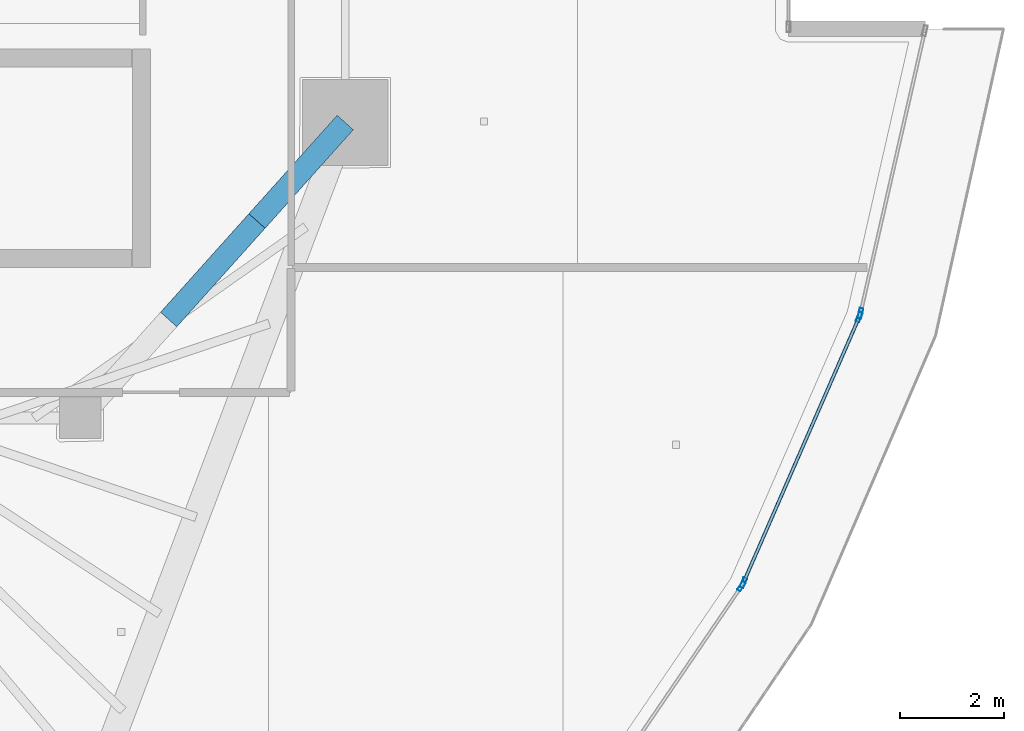
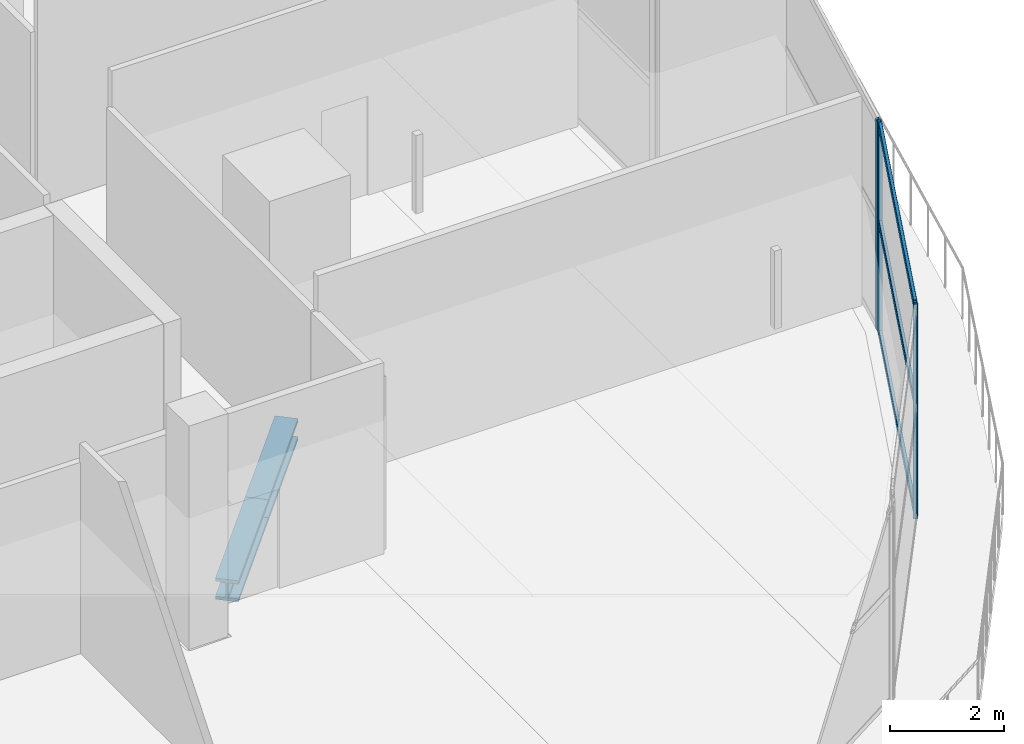
# One storey, part 11 of 36: 9 members, 3 elements without a shape of their own.
"""IFC4 building model written with IfcOpenShell, lengths in metres."""

from ifc_helpers import new_model, si_unit, direction, frame, origin, origin_2d, place, context, subcontext, project, spatial, hollow_rectangle, i_section, extrude, material, layer, layer_set, material_profile, profile_set, type_object, element, aggregate, save


model = new_model("IFC4")

# Units and contexts
model_context = context("Model", 3, precision=1e-05, world=origin(), true_north=direction((0.0, 1.0)))
body_context = subcontext(model_context, "Body", "Model", "MODEL_VIEW")
ifc_project = project(units=[si_unit("LENGTHUNIT", "METRE"), si_unit("AREAUNIT", "SQUARE_METRE"), si_unit("VOLUMEUNIT", "CUBIC_METRE"), si_unit("PLANEANGLEUNIT", "RADIAN"), si_unit("MASSUNIT", "GRAM", prefix="KILO")], contexts=[model_context])

# Site, building, storey
site_placement = place(None, origin())
site = spatial("IfcSite", under=ifc_project, at=site_placement, CompositionType="ELEMENT")
building_placement = place(site_placement, origin())
building = spatial("IfcBuilding", under=site, at=building_placement, Name="Qorvath Tower", CompositionType="ELEMENT")
storey_placement = place(building_placement, frame((0.0, 0.0, 255.0)))
storey = spatial("IfcBuildingStorey", under=building, at=storey_placement, Name="L59", CompositionType="ELEMENT", Elevation=255.0)

# Curtain wall, member
ifc_material_1 = material(Name="Anodised aluminium and triple low-E glass", Category="aluminium")
ifc_layer = layer(ifc_material_1, 0.179931640625)
ifc_layer_set = layer_set([ifc_layer], Name="CW-SYS-5")
curtain_wall_type = type_object("IfcCurtainWallType", Name="CW-SYS-5", PredefinedType="NOTDEFINED", material=ifc_layer_set)
curtain_wall_1_placement = place(storey_placement, origin())
curtain_wall_1 = element("IfcCurtainWall", 1, at=curtain_wall_1_placement, inside=storey, type_object=curtain_wall_type, Name="Curtain Wall CW-5 CW-T-L59-5.1", PredefinedType="NOTDEFINED")
ifc_material_2 = material(Name="Anodised aluminium 6063-T6", Category="aluminium")
ifc_material_profile_1 = material_profile(ifc_material_2, hollow_rectangle(XDim=0.074951171875, YDim=0.199951171875, WallThickness=0.00390625, InnerFilletRadius=0.00390625, OuterFilletRadius=0.008056640625, at=origin_2d()), Name="CWM 200x75")
ifc_profile_set_1 = profile_set([ifc_material_profile_1], Name="Anodised aluminium 6063-T6")
member_type_1 = type_object("IfcMemberType", Name="CWM-200", PredefinedType="MULLION", material=ifc_profile_set_1)
member_1_placement = place(storey_placement, frame((-4.464111328125, -14.69189453125, 0.0), z_axis=(0.0, 0.0, 1.0), x_axis=(-0.826378685409, 0.563114791407, 0.0)))
member_1 = element("IfcMember", 2, at=member_1_placement, type_object=member_type_1, Name="CW-5 mullion 2", PredefinedType="MULLION", context=body_context, shape_type="SweptSolid", body=[
    extrude(hollow_rectangle(XDim=0.074951171875, YDim=0.199951171875, WallThickness=0.00390625, InnerFilletRadius=0.00390625, OuterFilletRadius=0.008056640625, at=origin_2d()), origin(), (0.0, 0.0, 1.0), 4.510009765625),
])
aggregate(curtain_wall_1, [member_1])

# Curtain wall, members
curtain_wall_2_placement = place(storey_placement, origin())
curtain_wall_2 = element("IfcCurtainWall", 3, at=curtain_wall_2_placement, inside=storey, type_object=curtain_wall_type, Name="Curtain Wall CW-5 CW-T-L59-6.1", PredefinedType="NOTDEFINED")
member_2_placement = place(storey_placement, frame((-4.427978515625, -14.62646484375, 0.0), z_axis=(0.0, 0.0, 1.0), x_axis=(-0.916660953687, 0.399665730312, 0.0)))
member_2 = element("IfcMember", 4, at=member_2_placement, type_object=member_type_1, Name="CW-5 mullion 1", PredefinedType="MULLION", context=body_context, shape_type="SweptSolid", body=[
    extrude(hollow_rectangle(XDim=0.074951171875, YDim=0.199951171875, WallThickness=0.00390625, InnerFilletRadius=0.00390625, OuterFilletRadius=0.008056640625, at=origin_2d()), origin(), (0.0, 0.0, 1.0), 4.510009765625),
])
member_3_placement = place(storey_placement, frame((-2.1953125, -9.506103515625, 0.0), z_axis=(0.0, 0.0, 1.0), x_axis=(-0.916660953687, 0.399665730312, 0.0)))
member_3 = element("IfcMember", 5, at=member_3_placement, type_object=member_type_1, Name="CW-5 mullion 2", PredefinedType="MULLION", context=body_context, shape_type="SweptSolid", body=[
    extrude(hollow_rectangle(XDim=0.074951171875, YDim=0.199951171875, WallThickness=0.00390625, InnerFilletRadius=0.00390625, OuterFilletRadius=0.008056640625, at=origin_2d()), origin(), (0.0, 0.0, 1.0), 4.510009765625),
])

# Curtain wall, member
curtain_wall_3_placement = place(storey_placement, origin())
curtain_wall_3 = element("IfcCurtainWall", 6, at=curtain_wall_3_placement, inside=storey, type_object=curtain_wall_type, Name="Curtain Wall CW-5 CW-T-L59-7.1", PredefinedType="NOTDEFINED")
member_4_placement = place(storey_placement, frame((-2.172119140625, -9.43505859375, 0.0), z_axis=(0.0, 0.0, 1.0), x_axis=(-0.97497120511, 0.22233117012, 0.0)))
member_4 = element("IfcMember", 7, at=member_4_placement, type_object=member_type_1, Name="CW-5 mullion 1", PredefinedType="MULLION", context=body_context, shape_type="SweptSolid", body=[
    extrude(hollow_rectangle(XDim=0.074951171875, YDim=0.199951171875, WallThickness=0.00390625, InnerFilletRadius=0.00390625, OuterFilletRadius=0.008056640625, at=origin_2d()), origin(), (0.0, 0.0, 1.0), 4.510009765625),
])
aggregate(curtain_wall_3, [member_4])

# Member
ifc_material_3 = material(Name="Anodised aluminium 6063-T6", Category="aluminium")
ifc_material_profile_2 = material_profile(ifc_material_3, hollow_rectangle(XDim=0.06494140625, YDim=0.159912109375, WallThickness=0.00341796875, InnerFilletRadius=0.00341796875, OuterFilletRadius=0.007080078125, at=origin_2d()), Name="CWT 160x65")
ifc_profile_set_2 = profile_set([ifc_material_profile_2], Name="Anodised aluminium 6063-T6")
member_type_2 = type_object("IfcMemberType", Name="CWT-160", PredefinedType="USERDEFINED", material=ifc_profile_set_2)
member_5_placement = place(storey_placement, frame((-4.412841796875, -14.592041015625, 0.032470703125), z_axis=(0.39965414968, 0.916666002775, 0.0), x_axis=(-0.916666002775, 0.39965414968, 0.0)))
member_5 = element("IfcMember", 8, at=member_5_placement, type_object=member_type_2, Name="CW-5 transom 1.1", ObjectType="TRANSOM", PredefinedType="USERDEFINED", context=body_context, shape_type="SweptSolid", body=[
    extrude(hollow_rectangle(XDim=0.06494140625, YDim=0.159912109375, WallThickness=0.00341796875, InnerFilletRadius=0.00341796875, OuterFilletRadius=0.007080078125, at=origin_2d()), origin(), (0.0, 0.0, 1.0), 5.5107421875),
])

member_6_placement = place(storey_placement, frame((-4.412841796875, -14.592041015625, 2.39990234375), z_axis=(0.39965414968, 0.916666002775, 0.0), x_axis=(-0.916666002775, 0.39965414968, 0.0)))
member_6 = element("IfcMember", 9, at=member_6_placement, type_object=member_type_2, Name="CW-5 transom 1.2", ObjectType="TRANSOM", PredefinedType="USERDEFINED", context=body_context, shape_type="SweptSolid", body=[
    extrude(hollow_rectangle(XDim=0.06494140625, YDim=0.159912109375, WallThickness=0.00341796875, InnerFilletRadius=0.00341796875, OuterFilletRadius=0.007080078125, at=origin_2d()), origin(), (0.0, 0.0, 1.0), 5.5107421875),
])

member_7_placement = place(storey_placement, frame((-4.412841796875, -14.592041015625, 4.4775390625), z_axis=(0.39965414968, 0.916666002775, 0.0), x_axis=(-0.916666002775, 0.39965414968, 0.0)))
member_7 = element("IfcMember", 10, at=member_7_placement, type_object=member_type_2, Name="CW-5 transom 1.3", ObjectType="TRANSOM", PredefinedType="USERDEFINED", context=body_context, shape_type="SweptSolid", body=[
    extrude(hollow_rectangle(XDim=0.06494140625, YDim=0.159912109375, WallThickness=0.00341796875, InnerFilletRadius=0.00341796875, OuterFilletRadius=0.007080078125, at=origin_2d()), origin(), (0.0, 0.0, 1.0), 5.5107421875),
])

aggregate(curtain_wall_2, [member_2, member_3, member_5, member_6, member_7])

# Members
ifc_material_4 = material(Name="Steel ASTM A913 Grade 65", Category="steel")
ifc_material_profile_3 = material_profile(ifc_material_4, i_section(OverallWidth=0.4189453125, OverallDepth=0.455078125, WebThickness=0.0419921875, FlangeThickness=0.067626953125, FilletRadius=0.02490234375, at=origin_2d()), Name="W14x370")
ifc_profile_set_3 = profile_set([ifc_material_profile_3], Name="Steel ASTM A913 Grade 65")
member_type_3 = type_object("IfcMemberType", Name="MEM-OT2", PredefinedType="CHORD", material=ifc_profile_set_3)
for number, where, z_axis, x_axis, name in (
    (11, (-15.4990234375, -9.552734375, -0.85009765625), (0.667545015752, 0.744569440646, 0.0), (-0.744569440646, 0.667545015752, 0.0), "Outrigger and Belt Truss Top Chord OB3-3.2"),
    (12, (-13.7978515625, -7.6552734375, -0.85009765625), (0.667545015752, 0.744569440646, 0.0), (-0.744569440646, 0.667545015752, 0.0), "Outrigger and Belt Truss Top Chord OB3-3.3"),
):
    element("IfcMember", number, at=place(storey_placement, frame(where, z_axis=z_axis, x_axis=x_axis)), inside=storey, type_object=member_type_3, Name=name, PredefinedType="CHORD", context=body_context, shape_type="SweptSolid", body=[
        extrude(i_section(OverallWidth=0.4189453125, OverallDepth=0.455078125, WebThickness=0.0419921875, FlangeThickness=0.067626953125, FilletRadius=0.02490234375, at=origin_2d()), origin(), (0.0, 0.0, 1.0), 2.54833984375),
    ])

save(model, "model.ifc")
